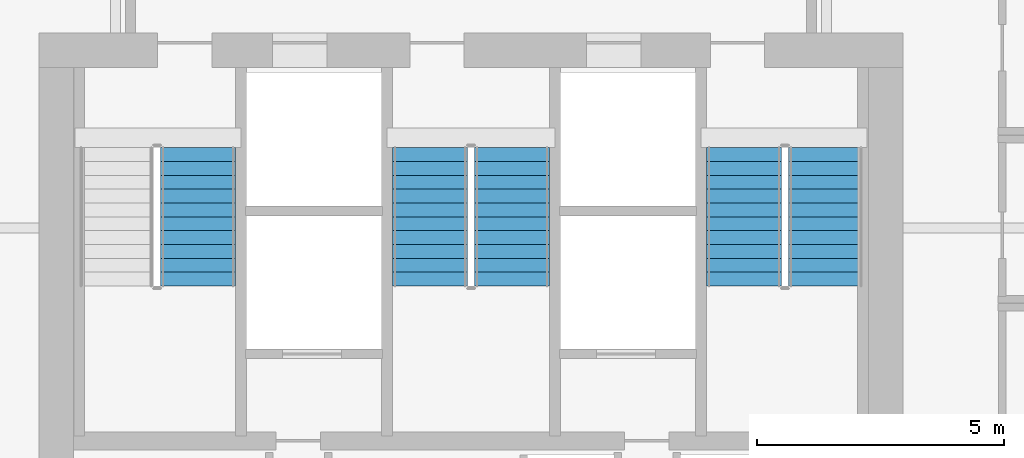
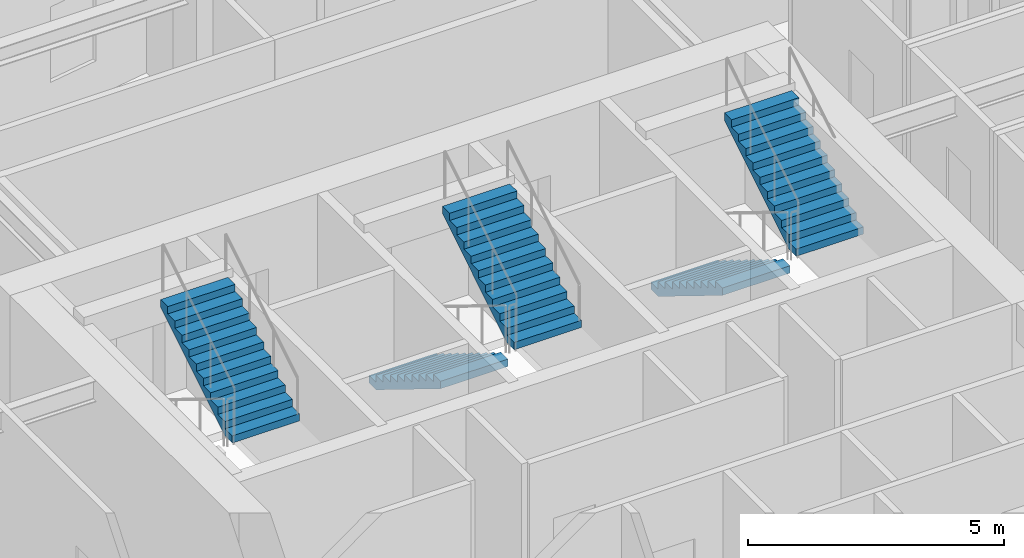
# One storey, part 10 of 14: 5 stair flights, 3 elements without a shape of their own.
"""IFC4 building model written with IfcOpenShell, lengths in metres."""

from ifc_helpers import new_model, si_unit, direction, frame, origin, place, context, subcontext, project, spatial, polyline, outline, extrude, material, type_object, element, aggregate, save


model = new_model("IFC4")

# Units and contexts
model_context = context("Model", 3, precision=1e-05, world=origin(), true_north=direction((0.0, 1.0)))
body_context = subcontext(model_context, "Body", "Model", "MODEL_VIEW")
ifc_project = project(units=[si_unit("LENGTHUNIT", "METRE"), si_unit("AREAUNIT", "SQUARE_METRE"), si_unit("VOLUMEUNIT", "CUBIC_METRE"), si_unit("PLANEANGLEUNIT", "RADIAN"), si_unit("MASSUNIT", "GRAM", prefix="KILO")], contexts=[model_context])

# Site, building, storey
site_placement = place(None, origin())
site = spatial("IfcSite", under=ifc_project, at=site_placement, CompositionType="ELEMENT")
building_placement = place(site_placement, origin())
building = spatial("IfcBuilding", under=site, at=building_placement, Name="Haolan Belvedere Tower", CompositionType="ELEMENT")
storey_placement = place(building_placement, frame((0.0, 0.0, 109.800048828125)))
storey = spatial("IfcBuildingStorey", under=building, at=storey_placement, Name="L27", CompositionType="ELEMENT", Elevation=109.800048828125)

# Stair, stair flight
ifc_material = material(Name="Concrete C40/50", Category="concrete")
stair_type = type_object("IfcStairType", Name="STR-DL-22R-173", PredefinedType="HALF_TURN_STAIR", material=ifc_material)
stair_1_placement = place(storey_placement, origin())
stair_1 = element("IfcStair", 1, at=stair_1_placement, inside=storey, type_object=stair_type, Name="L27 Smokeproof Core Exit Stair ST1", PredefinedType="HALF_TURN_STAIR")
stair_flight_type = type_object("IfcStairFlightType", Name="SFL-DL-11R-173", PredefinedType="STRAIGHT", material=ifc_material)
stair_flight_1_placement = place(storey_placement, frame((32.8701171875, 38.429931640625, 1.89990234375), z_axis=(0.0, 0.0, 1.0), x_axis=(0.0, 1.0, 0.0)))
stair_flight_1 = element("IfcStairFlight", 2, at=stair_flight_1_placement, type_object=stair_flight_type, Name="ST1 flight 2", NumberOfRisers=11, NumberOfTreads=10, PredefinedType="STRAIGHT", RiserHeight=0.172727273, TreadLength=0.28, context=body_context, shape_type="SweptSolid", body=[
    extrude(outline(polyline([(0.0, 0.0), (0.0, 0.172607421875), (0.280029296875, 0.172607421875), (0.280029296875, 0.345458984375), (0.56005859375, 0.345458984375), (0.56005859375, 0.51806640625), (0.840087890625, 0.51806640625), (0.840087890625, 0.69091796875), (1.1201171875, 0.69091796875), (1.1201171875, 0.863525390625), (1.39990234375, 0.863525390625), (1.39990234375, 1.036376953125), (1.679931640625, 1.036376953125), (1.679931640625, 1.208984375), (1.9599609375, 1.208984375), (1.9599609375, 1.3818359375), (2.239990234375, 1.3818359375), (2.239990234375, 1.554443359375), (2.52001953125, 1.554443359375), (2.52001953125, 1.727294921875), (2.800048828125, 1.727294921875), (2.800048828125, 1.89990234375), (2.800048828125, 1.551025390625), (0.285400390625, 0.0), (0.0, 0.0)])), frame((0.0, 0.760009765625, 0.0), z_axis=(0.0, -1.0, 0.0), x_axis=(1.0, 0.0, 0.0)), (0.0, 0.0, 1.0), 1.52001953125),
])
aggregate(stair_1, [stair_flight_1])

# Stair, stair flights
stair_2_placement = place(storey_placement, origin())
stair_2 = element("IfcStair", 3, at=stair_2_placement, inside=storey, type_object=stair_type, Name="L27 Smokeproof Core Exit Stair ST3", PredefinedType="HALF_TURN_STAIR")
stair_flight_2_placement = place(storey_placement, frame((37.570068359375, 41.22998046875, 0.0), z_axis=(0.0, 0.0, 1.0), x_axis=(0.0, -1.0, 0.0)))
stair_flight_2 = element("IfcStairFlight", 4, at=stair_flight_2_placement, type_object=stair_flight_type, Name="ST3 flight 1", NumberOfRisers=11, NumberOfTreads=10, PredefinedType="STRAIGHT", RiserHeight=0.172727273, TreadLength=0.28, context=body_context, shape_type="SweptSolid", body=[
    extrude(outline(polyline([(0.0, 0.0), (0.0, 0.172607421875), (0.280029296875, 0.172607421875), (0.280029296875, 0.345458984375), (0.56005859375, 0.345458984375), (0.56005859375, 0.51806640625), (0.840087890625, 0.51806640625), (0.840087890625, 0.69091796875), (1.1201171875, 0.69091796875), (1.1201171875, 0.863525390625), (1.39990234375, 0.863525390625), (1.39990234375, 1.036376953125), (1.679931640625, 1.036376953125), (1.679931640625, 1.208984375), (1.9599609375, 1.208984375), (1.9599609375, 1.3818359375), (2.239990234375, 1.3818359375), (2.239990234375, 1.554443359375), (2.52001953125, 1.554443359375), (2.52001953125, 1.727294921875), (2.800048828125, 1.727294921875), (2.800048828125, 1.89990234375), (2.800048828125, 1.551025390625), (0.285400390625, 0.0), (0.0, 0.0)])), frame((0.0, 0.760009765625, 0.0), z_axis=(0.0, -1.0, 0.0), x_axis=(1.0, 0.0, 0.0)), (0.0, 0.0, 1.0), 1.52001953125),
])
stair_flight_3_placement = place(storey_placement, frame((39.22998046875, 38.429931640625, 1.89990234375), z_axis=(0.0, 0.0, 1.0), x_axis=(0.0, 1.0, 0.0)))
stair_flight_3 = element("IfcStairFlight", 5, at=stair_flight_3_placement, type_object=stair_flight_type, Name="ST3 flight 2", NumberOfRisers=11, NumberOfTreads=10, PredefinedType="STRAIGHT", RiserHeight=0.172727273, TreadLength=0.28, context=body_context, shape_type="SweptSolid", body=[
    extrude(outline(polyline([(0.0, 0.0), (0.0, 0.172607421875), (0.280029296875, 0.172607421875), (0.280029296875, 0.345458984375), (0.56005859375, 0.345458984375), (0.56005859375, 0.51806640625), (0.840087890625, 0.51806640625), (0.840087890625, 0.69091796875), (1.1201171875, 0.69091796875), (1.1201171875, 0.863525390625), (1.39990234375, 0.863525390625), (1.39990234375, 1.036376953125), (1.679931640625, 1.036376953125), (1.679931640625, 1.208984375), (1.9599609375, 1.208984375), (1.9599609375, 1.3818359375), (2.239990234375, 1.3818359375), (2.239990234375, 1.554443359375), (2.52001953125, 1.554443359375), (2.52001953125, 1.727294921875), (2.800048828125, 1.727294921875), (2.800048828125, 1.89990234375), (2.800048828125, 1.551025390625), (0.285400390625, 0.0), (0.0, 0.0)])), frame((0.0, 0.760009765625, 0.0), z_axis=(0.0, -1.0, 0.0), x_axis=(1.0, 0.0, 0.0)), (0.0, 0.0, 1.0), 1.52001953125),
])
aggregate(stair_2, [stair_flight_2, stair_flight_3])

stair_3_placement = place(storey_placement, origin())
stair_3 = element("IfcStair", 6, at=stair_3_placement, inside=storey, type_object=stair_type, Name="L27 Smokeproof Core Exit Stair ST2", PredefinedType="HALF_TURN_STAIR")
stair_flight_4_placement = place(storey_placement, frame((43.929931640625, 41.22998046875, 0.0), z_axis=(0.0, 0.0, 1.0), x_axis=(0.0, -1.0, 0.0)))
stair_flight_4 = element("IfcStairFlight", 7, at=stair_flight_4_placement, type_object=stair_flight_type, Name="ST2 flight 1", NumberOfRisers=11, NumberOfTreads=10, PredefinedType="STRAIGHT", RiserHeight=0.172727273, TreadLength=0.28, context=body_context, shape_type="SweptSolid", body=[
    extrude(outline(polyline([(0.0, 0.0), (0.0, 0.172607421875), (0.280029296875, 0.172607421875), (0.280029296875, 0.345458984375), (0.56005859375, 0.345458984375), (0.56005859375, 0.51806640625), (0.840087890625, 0.51806640625), (0.840087890625, 0.69091796875), (1.1201171875, 0.69091796875), (1.1201171875, 0.863525390625), (1.39990234375, 0.863525390625), (1.39990234375, 1.036376953125), (1.679931640625, 1.036376953125), (1.679931640625, 1.208984375), (1.9599609375, 1.208984375), (1.9599609375, 1.3818359375), (2.239990234375, 1.3818359375), (2.239990234375, 1.554443359375), (2.52001953125, 1.554443359375), (2.52001953125, 1.727294921875), (2.800048828125, 1.727294921875), (2.800048828125, 1.89990234375), (2.800048828125, 1.551025390625), (0.285400390625, 0.0), (0.0, 0.0)])), frame((0.0, 0.760009765625, 0.0), z_axis=(0.0, -1.0, 0.0), x_axis=(1.0, 0.0, 0.0)), (0.0, 0.0, 1.0), 1.52001953125),
])
stair_flight_5_placement = place(storey_placement, frame((45.590087890625, 38.429931640625, 1.89990234375), z_axis=(0.0, 0.0, 1.0), x_axis=(0.0, 1.0, 0.0)))
stair_flight_5 = element("IfcStairFlight", 8, at=stair_flight_5_placement, type_object=stair_flight_type, Name="ST2 flight 2", NumberOfRisers=11, NumberOfTreads=10, PredefinedType="STRAIGHT", RiserHeight=0.172727273, TreadLength=0.28, context=body_context, shape_type="SweptSolid", body=[
    extrude(outline(polyline([(0.0, 0.0), (0.0, 0.172607421875), (0.280029296875, 0.172607421875), (0.280029296875, 0.345458984375), (0.56005859375, 0.345458984375), (0.56005859375, 0.51806640625), (0.840087890625, 0.51806640625), (0.840087890625, 0.69091796875), (1.1201171875, 0.69091796875), (1.1201171875, 0.863525390625), (1.39990234375, 0.863525390625), (1.39990234375, 1.036376953125), (1.679931640625, 1.036376953125), (1.679931640625, 1.208984375), (1.9599609375, 1.208984375), (1.9599609375, 1.3818359375), (2.239990234375, 1.3818359375), (2.239990234375, 1.554443359375), (2.52001953125, 1.554443359375), (2.52001953125, 1.727294921875), (2.800048828125, 1.727294921875), (2.800048828125, 1.89990234375), (2.800048828125, 1.551025390625), (0.285400390625, 0.0), (0.0, 0.0)])), frame((0.0, 0.760009765625, 0.0), z_axis=(0.0, -1.0, 0.0), x_axis=(1.0, 0.0, 0.0)), (0.0, 0.0, 1.0), 1.52001953125),
])
aggregate(stair_3, [stair_flight_4, stair_flight_5])

save(model, "model.ifc")
